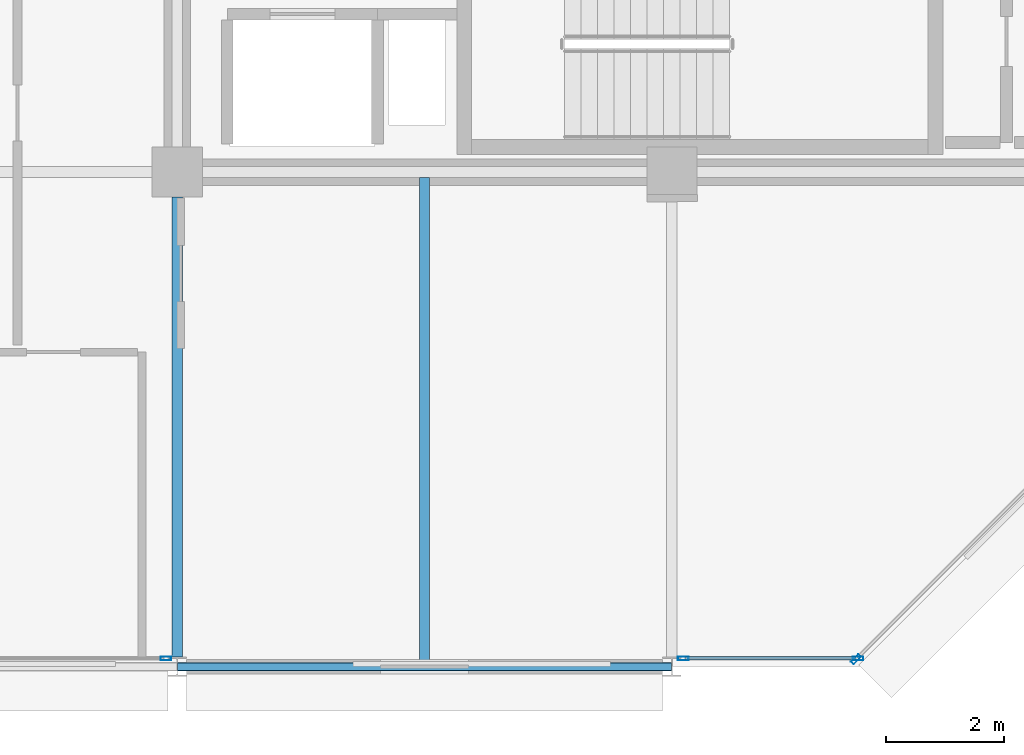
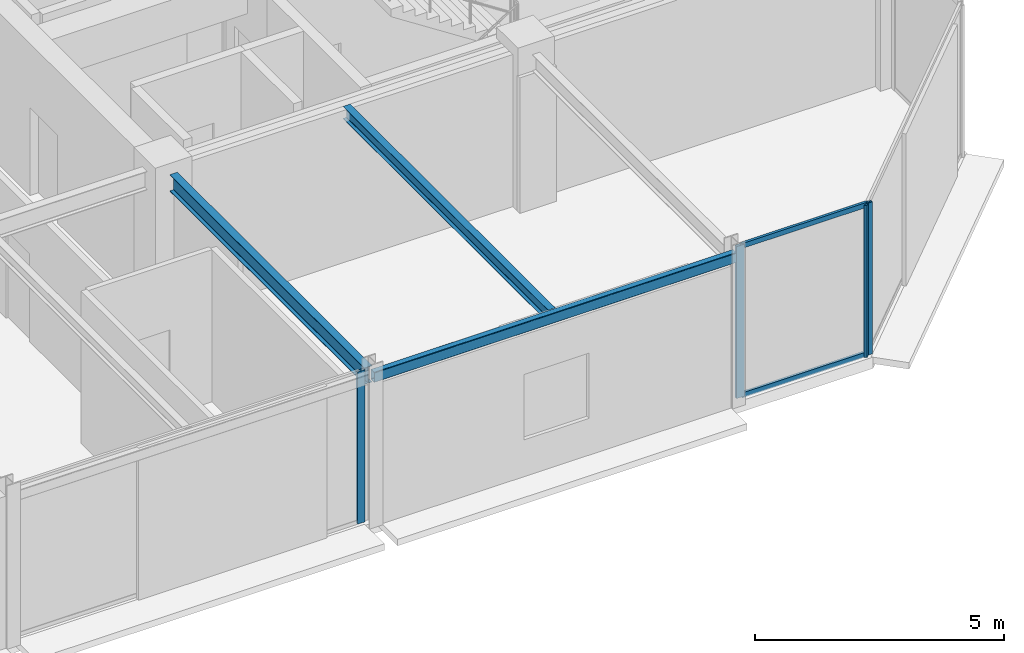
# One storey, part 7 of 25: 6 members, 3 beams, 3 elements without a shape of their own.
"""IFC4 building model written with IfcOpenShell, lengths in metres."""

from ifc_helpers import new_model, si_unit, direction, frame, origin, origin_2d, place, context, subcontext, project, spatial, hollow_rectangle, i_section, extrude, material, layer, layer_set, material_profile, profile_set, type_object, element, aggregate, save


model = new_model("IFC4")

# Units and contexts
model_context = context("Model", 3, precision=1e-05, world=origin(), true_north=direction((0.0, 1.0)))
body_context = subcontext(model_context, "Body", "Model", "MODEL_VIEW")
ifc_project = project(units=[si_unit("LENGTHUNIT", "METRE"), si_unit("AREAUNIT", "SQUARE_METRE"), si_unit("VOLUMEUNIT", "CUBIC_METRE"), si_unit("PLANEANGLEUNIT", "RADIAN"), si_unit("MASSUNIT", "GRAM", prefix="KILO")], contexts=[model_context])

# Site, building, storey
site_placement = place(None, origin())
site = spatial("IfcSite", under=ifc_project, at=site_placement, CompositionType="ELEMENT")
building_placement = place(site_placement, origin())
building = spatial("IfcBuilding", under=site, at=building_placement, Name="Nerrivon Quay Data Exchange", CompositionType="ELEMENT")
storey_placement = place(building_placement, frame((0.0, 0.0, 302.199951171875)))
storey = spatial("IfcBuildingStorey", under=building, at=storey_placement, Name="L72", CompositionType="ELEMENT", Elevation=302.199951171875)

# Beams
ifc_material_1 = material(Name="Steel Grade 350", Category="steel")
ifc_material_profile_1 = material_profile(ifc_material_1, i_section(OverallWidth=0.177978515625, OverallDepth=0.406005859375, WebThickness=0.0078125, FlangeThickness=0.0126953125, FilletRadius=0.011474609375, at=origin_2d()), Name="410UB59.7")
ifc_profile_set_1 = profile_set([ifc_material_profile_1], Name="Steel Grade 350")
beam_type_1 = type_object("IfcBeamType", Name="BM-J1-410UB60", PredefinedType="JOIST", material=ifc_profile_set_1)
beam_1_placement = place(storey_placement, frame((16.800048828125, 0.16357421875, 3.52197265625), z_axis=(0.0, 1.0, 0.0), x_axis=(-1.0, 0.0, 0.0)))
element("IfcBeam", 1, at=beam_1_placement, inside=storey, type_object=beam_type_1, Name="L72 NS Girder X=16.8 (0.0..8.4)", PredefinedType="JOIST", context=body_context, shape_type="SweptSolid", body=[
    extrude(i_section(OverallWidth=0.177978515625, OverallDepth=0.406005859375, WebThickness=0.0078125, FlangeThickness=0.0126953125, FilletRadius=0.011474609375, at=origin_2d()), origin(), (0.0, 0.0, 1.0), 7.8115234375),
])
ifc_material_profile_2 = material_profile(ifc_material_1, i_section(OverallWidth=0.1650390625, OverallDepth=0.303955078125, WebThickness=0.006103515625, FlangeThickness=0.01025390625, FilletRadius=0.011474609375, at=origin_2d()), Name="310UB40.4")
ifc_profile_set_2 = profile_set([ifc_material_profile_2], Name="Steel Grade 350")
beam_type_2 = type_object("IfcBeamType", Name="BM-J6-310UB40", PredefinedType="JOIST", material=ifc_profile_set_2)
beam_2_placement = place(storey_placement, frame((21.0, 0.074951171875, 3.572998046875), z_axis=(0.0, 1.0, 0.0), x_axis=(-1.0, 0.0, 0.0)))
element("IfcBeam", 2, at=beam_2_placement, inside=storey, type_object=beam_type_2, Name="L72 Secondary Joist X=21.0 (0.0..8.4)", PredefinedType="JOIST", context=body_context, shape_type="SweptSolid", body=[
    extrude(i_section(OverallWidth=0.1650390625, OverallDepth=0.303955078125, WebThickness=0.006103515625, FlangeThickness=0.01025390625, FilletRadius=0.011474609375, at=origin_2d()), origin(), (0.0, 0.0, 1.0), 8.22998046875),
])
ifc_material_2 = material(Name="Steel Grade C350L0 (350 MPa)", Category="steel")
ifc_material_profile_3 = material_profile(ifc_material_2, hollow_rectangle(XDim=0.14990234375, YDim=0.25, WallThickness=0.009033203125, InnerFilletRadius=0.013427734375, OuterFilletRadius=0.0224609375, at=origin_2d()), Name="250x150x9.0RHS")
ifc_profile_set_3 = profile_set([ifc_material_profile_3], Name="Steel Grade C350L0 (350 MPa)")
beam_type_3 = type_object("IfcBeamType", Name="BM-SP4-250x150RHS", PredefinedType="SPANDREL", material=ifc_profile_set_3)
beam_3_placement = place(storey_placement, frame((16.807861328125, 0.0, 3.60009765625), z_axis=(1.0, 0.0, 0.0), x_axis=(0.0, 1.0, 0.0)))
element("IfcBeam", 3, at=beam_3_placement, inside=storey, type_object=beam_type_3, Name="L72 EW Girder Y=0.0 (16.8..25.2)", PredefinedType="SPANDREL", context=body_context, shape_type="SweptSolid", body=[
    extrude(hollow_rectangle(XDim=0.14990234375, YDim=0.25, WallThickness=0.009033203125, InnerFilletRadius=0.013427734375, OuterFilletRadius=0.0224609375, at=origin_2d()), origin(), (0.0, 0.0, 1.0), 8.38427734375),
])

# Curtain wall, member
ifc_material_3 = material(Name="Anodised aluminium 6063-T6", Category="aluminium")
ifc_layer = layer(ifc_material_3, 0.195068359375)
ifc_layer_set = layer_set([ifc_layer], Name="Anodised aluminium 6063-T6")
curtain_wall_type = type_object("IfcCurtainWallType", Name="CW-SYS-06", PredefinedType="NOTDEFINED", material=ifc_layer_set)
curtain_wall_1_placement = place(storey_placement, origin())
curtain_wall_1 = element("IfcCurtainWall", 4, at=curtain_wall_1_placement, inside=storey, type_object=curtain_wall_type, Name="L72 Unitised Curtain Wall 1", PredefinedType="NOTDEFINED")
ifc_material_profile_4 = material_profile(ifc_material_3, hollow_rectangle(XDim=0.06494140625, YDim=0.179931640625, WallThickness=0.00341796875, at=origin_2d()), Name="ALU-MULL-180x65")
ifc_profile_set_4 = profile_set([ifc_material_profile_4], Name="Anodised aluminium 6063-T6")
member_type_1 = type_object("IfcMemberType", Name="CWM-180x65", PredefinedType="MULLION", material=ifc_profile_set_4)
member_1_placement = place(storey_placement, frame((28.32763671875, 0.12548828125, 0.0), z_axis=(0.0, 0.0, 1.0), x_axis=(0.707106781187, -0.707106781187, 0.0)))
member_1 = element("IfcMember", 5, at=member_1_placement, type_object=member_type_1, Name="CW06 mullion 2", PredefinedType="MULLION", context=body_context, shape_type="SweptSolid", body=[
    extrude(hollow_rectangle(XDim=0.06494140625, YDim=0.179931640625, WallThickness=0.00341796875, at=origin_2d()), origin(), (0.0, 0.0, 1.0), 3.72509765625),
])
aggregate(curtain_wall_1, [member_1])

# Curtain wall, members
curtain_wall_2_placement = place(storey_placement, origin())
curtain_wall_2 = element("IfcCurtainWall", 6, at=curtain_wall_2_placement, inside=storey, type_object=curtain_wall_type, Name="L72 Unitised Curtain Wall 2", PredefinedType="NOTDEFINED")
member_2_placement = place(storey_placement, frame((28.362548828125, 0.139892578125, 0.0), z_axis=(0.0, 0.0, 1.0), x_axis=(0.0, -1.0, 0.0)))
member_2 = element("IfcMember", 7, at=member_2_placement, type_object=member_type_1, Name="CW06 mullion 1", PredefinedType="MULLION", context=body_context, shape_type="SweptSolid", body=[
    extrude(hollow_rectangle(XDim=0.06494140625, YDim=0.179931640625, WallThickness=0.00341796875, at=origin_2d()), origin(), (0.0, 0.0, 1.0), 3.72509765625),
])
member_3_placement = place(storey_placement, frame((25.39306640625, 0.139892578125, 0.0), z_axis=(0.0, 0.0, 1.0), x_axis=(0.0, -1.0, 0.0)))
member_3 = element("IfcMember", 8, at=member_3_placement, type_object=member_type_1, Name="CW06 mullion 2", PredefinedType="MULLION", context=body_context, shape_type="SweptSolid", body=[
    extrude(hollow_rectangle(XDim=0.06494140625, YDim=0.179931640625, WallThickness=0.00341796875, at=origin_2d()), origin(), (0.0, 0.0, 1.0), 3.72509765625),
])

# Curtain wall, member
curtain_wall_3_placement = place(storey_placement, origin())
curtain_wall_3 = element("IfcCurtainWall", 9, at=curtain_wall_3_placement, inside=storey, type_object=curtain_wall_type, Name="L72 Unitised Curtain Wall 4", PredefinedType="NOTDEFINED")
member_4_placement = place(storey_placement, frame((16.60693359375, 0.139892578125, 0.0), z_axis=(0.0, 0.0, 1.0), x_axis=(0.0, -1.0, 0.0)))
member_4 = element("IfcMember", 10, at=member_4_placement, type_object=member_type_1, Name="CW06 mullion 1", PredefinedType="MULLION", context=body_context, shape_type="SweptSolid", body=[
    extrude(hollow_rectangle(XDim=0.06494140625, YDim=0.179931640625, WallThickness=0.00341796875, at=origin_2d()), origin(), (0.0, 0.0, 1.0), 3.72509765625),
])
aggregate(curtain_wall_3, [member_4])

# Member
ifc_material_profile_5 = material_profile(ifc_material_3, hollow_rectangle(XDim=0.06005859375, YDim=0.1201171875, WallThickness=0.003173828125, at=origin_2d()), Name="ALU-TRAN-120x60")
ifc_profile_set_5 = profile_set([ifc_material_profile_5], Name="Anodised aluminium 6063-T6")
member_type_2 = type_object("IfcMemberType", Name="CWT-120x60", PredefinedType="USERDEFINED", material=ifc_profile_set_5)
member_5_placement = place(storey_placement, frame((28.324951171875, 0.139892578125, 0.032470703125), z_axis=(-1.0, 0.0, 0.0), x_axis=(0.0, -1.0, 0.0)))
member_5 = element("IfcMember", 11, at=member_5_placement, type_object=member_type_2, Name="CW06 transom 1.1", ObjectType="TRANSOM", PredefinedType="USERDEFINED", context=body_context, shape_type="SweptSolid", body=[
    extrude(hollow_rectangle(XDim=0.06005859375, YDim=0.1201171875, WallThickness=0.003173828125, at=origin_2d()), origin(), (0.0, 0.0, 1.0), 2.89453125),
])

member_6_placement = place(storey_placement, frame((28.324951171875, 0.139892578125, 3.692626953125), z_axis=(-1.0, 0.0, 0.0), x_axis=(0.0, -1.0, 0.0)))
member_6 = element("IfcMember", 12, at=member_6_placement, type_object=member_type_2, Name="CW06 transom 1.2", ObjectType="TRANSOM", PredefinedType="USERDEFINED", context=body_context, shape_type="SweptSolid", body=[
    extrude(hollow_rectangle(XDim=0.06005859375, YDim=0.1201171875, WallThickness=0.003173828125, at=origin_2d()), origin(), (0.0, 0.0, 1.0), 2.89453125),
])

aggregate(curtain_wall_2, [member_2, member_3, member_5, member_6])

save(model, "model.ifc")
